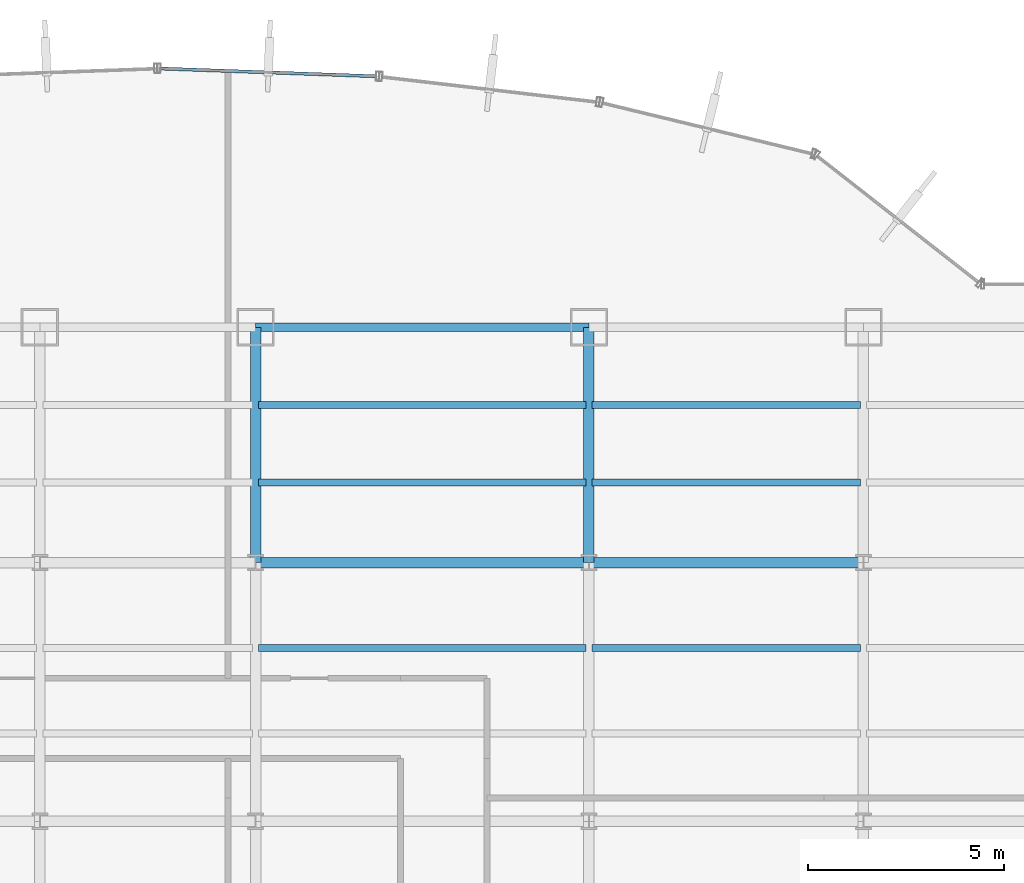
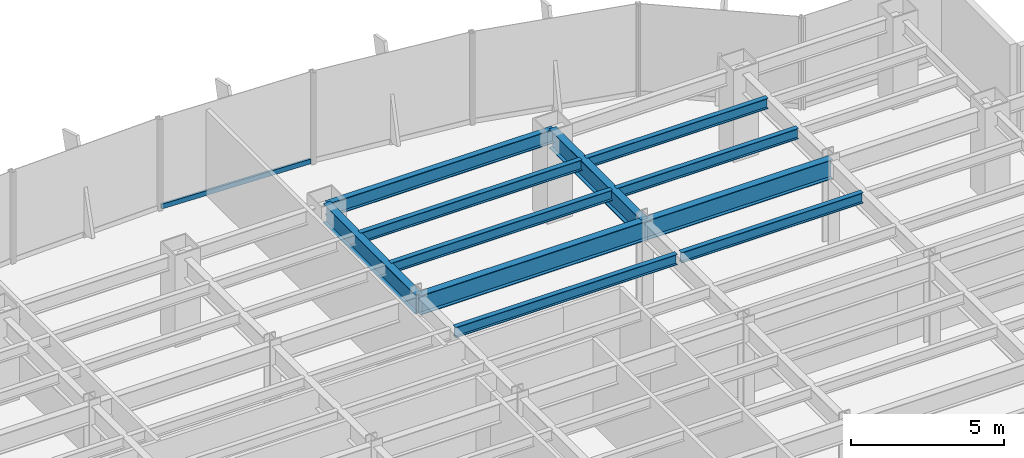
# One storey, part 13 of 22: 11 beams, 1 member, 1 element without a shape of its own.
"""IFC4 building model written with IfcOpenShell, lengths in metres."""

import ifcopenshell
import ifcopenshell.guid

model = None  # the IFC model being written
_history = None  # IfcOwnerHistory: only IFC2X3 demands one
_inside = {}  # id of a spatial element -> (the spatial element, [elements in it])
_under = {}  # id of a project, library or spatial element -> (it, [spatial elements below it])
_declared = {}  # id of a project -> (the project, [libraries it declares])
_typed = {}  # id of a type object -> (the type object, [elements of that type])
_made_of = {}  # id of a material, layer set ... -> (it, [elements and type objects made of it])


def new_model(schema):
    """Start an empty IFC model of exactly this schema.

    Asked for "IFC4X3", IfcOpenShell would pick the latest addendum, in which some entities
    have other attributes; the version numbers below select the first issue.
    IFC2X3 requires an IfcOwnerHistory on every rooted entity: one is made here for all.
    """
    global model, _history
    if schema == "IFC4X3":
        model = ifcopenshell.file(schema_version=(4, 3, 0, 0))
    else:
        model = ifcopenshell.file(schema=schema)
    _inside.clear()
    _under.clear()
    _declared.clear()
    _typed.clear()
    _made_of.clear()
    _history = None
    if model.schema == "IFC2X3":
        org = make("IfcOrganization", Name="unknown")
        user = make(
            "IfcPersonAndOrganization",
            ThePerson=make("IfcPerson", FamilyName="unknown"),
            TheOrganization=org,
        )
        app = make(
            "IfcApplication",
            ApplicationDeveloper=org,
            Version="unknown",
            ApplicationFullName="unknown",
            ApplicationIdentifier="unknown",
        )
        _history = make(
            "IfcOwnerHistory",
            OwningUser=user,
            OwningApplication=app,
            ChangeAction="ADDED",
            CreationDate=0,
        )
    return model


def make(cls, **values):
    """One entity of the class cls with the attributes given. An attribute that is None is left unset."""
    return model.create_entity(
        cls, **{name: value for name, value in values.items() if value is not None}
    )


def rooted(cls, **values):
    """An entity with a GlobalId (a new one), such as an element, a storey or a relation."""
    return make(cls, GlobalId=ifcopenshell.guid.new(), OwnerHistory=_history, **values)


def si_unit(unit_type, name, prefix=None):
    """IfcSIUnit, for example si_unit("LENGTHUNIT", "METRE", prefix="MILLI")."""
    return make("IfcSIUnit", UnitType=unit_type, Prefix=prefix, Name=name)


def derived_unit(unit_type, elements):
    """IfcDerivedUnit: a product of units, each with its exponent."""
    return make(
        "IfcDerivedUnit",
        Elements=[
            make("IfcDerivedUnitElement", Unit=unit, Exponent=power)
            for unit, power in elements
        ],
        UnitType=unit_type,
    )


def assignment(units):
    """IfcUnitAssignment: the units of a project."""
    return None if units is None else make("IfcUnitAssignment", Units=units)


def point(xyz):
    """IfcCartesianPoint."""
    return None if xyz is None else make("IfcCartesianPoint", Coordinates=xyz)


def direction(xyz):
    """IfcDirection."""
    return None if xyz is None else make("IfcDirection", DirectionRatios=xyz)


def frame(location, z_axis=None, x_axis=None):
    """IfcAxis2Placement3D, a coordinate frame: its origin and axes. An axis left out is left unset."""
    return make(
        "IfcAxis2Placement3D",
        Location=point(location),
        Axis=direction(z_axis),
        RefDirection=direction(x_axis),
    )


def frame_2d(location, x_axis=None):
    """IfcAxis2Placement2D, a coordinate frame in the plane: its origin and x axis."""
    return make(
        "IfcAxis2Placement2D", Location=point(location), RefDirection=direction(x_axis)
    )


def origin():
    """The frame at (0, 0, 0) with its axes left unset."""
    return frame((0.0, 0.0, 0.0))


def origin_2d():
    """The frame at (0, 0) in the plane with its x axis left unset."""
    return frame_2d((0.0, 0.0))


def place(relative_to, where):
    """IfcLocalPlacement: puts the frame where relative to a parent placement (None: the world)."""
    return make(
        "IfcLocalPlacement", PlacementRelTo=relative_to, RelativePlacement=where
    )


def context(
    kind, dimensions, precision=None, world=None, true_north=None, identifier=None
):
    """IfcGeometricRepresentationContext, for example the 3D "Model" context."""
    return make(
        "IfcGeometricRepresentationContext",
        ContextIdentifier=identifier,
        ContextType=kind,
        CoordinateSpaceDimension=dimensions,
        Precision=precision,
        WorldCoordinateSystem=world,
        TrueNorth=true_north,
    )


def subcontext(parent, identifier, kind, view, scale=None):
    """IfcGeometricRepresentationSubContext, for example "Body" below "Model"."""
    return make(
        "IfcGeometricRepresentationSubContext",
        ContextIdentifier=identifier,
        ContextType=kind,
        ParentContext=parent,
        TargetScale=scale,
        TargetView=view,
    )


def project(units=None, contexts=None):
    """IfcProject with its units and contexts."""
    return rooted(
        "IfcProject",
        Name="project",
        RepresentationContexts=contexts,
        UnitsInContext=assignment(units),
    )


def spatial(cls, under=None, at=None, **own):
    """A site, building, storey or space (cls), placed at a placement, below another one or the project."""
    s = rooted(cls, ObjectPlacement=at, **own)
    if under is not None:
        _under.setdefault(under.id(), (under, []))[1].append(s)
    return s


def profile(cls, at=None, kind="AREA", **sizes):
    """A parametric profile (cls). Its sizes go by their IFC names, for example OverallWidth=200.0."""
    return make(cls, ProfileType=kind, Position=at, **sizes)


def hollow_rectangle(**sizes):
    """IfcRectangleHollowProfileDef."""
    return profile("IfcRectangleHollowProfileDef", **sizes)


def i_section(**sizes):
    """IfcIShapeProfileDef."""
    return profile("IfcIShapeProfileDef", **sizes)


def extrude(swept, where, along, depth):
    """IfcExtrudedAreaSolid: the profile swept, set in the frame where, extruded along a direction by depth."""
    return make(
        "IfcExtrudedAreaSolid",
        SweptArea=swept,
        Position=where,
        ExtrudedDirection=direction(along),
        Depth=depth,
    )


def shape(context_of_items, identifier, shape_type, items):
    """IfcShapeRepresentation: the items that make up one representation, for example the "Body"."""
    return make(
        "IfcShapeRepresentation",
        ContextOfItems=context_of_items,
        RepresentationIdentifier=identifier,
        RepresentationType=shape_type,
        Items=items,
    )


def source(mapping_origin, context_of_items, identifier, shape_type, items):
    """IfcRepresentationMap: a shape defined once, which mapped items show again and again."""
    return make(
        "IfcRepresentationMap",
        MappingOrigin=mapping_origin,
        MappedRepresentation=shape(context_of_items, identifier, shape_type, items),
    )


def transform(
    local_origin,
    x_axis=None,
    y_axis=None,
    z_axis=None,
    scale=None,
    scale2=None,
    scale3=None,
    uniform=True,
):
    """IfcCartesianTransformationOperator3D, or its non-uniform kind. x_axis, y_axis, z_axis: its Axis1, 2, 3."""
    if uniform:
        return make(
            "IfcCartesianTransformationOperator3D",
            Axis1=direction(x_axis),
            Axis2=direction(y_axis),
            LocalOrigin=point(local_origin),
            Scale=scale,
            Axis3=direction(z_axis),
        )
    return make(
        "IfcCartesianTransformationOperator3DnonUniform",
        Axis1=direction(x_axis),
        Axis2=direction(y_axis),
        LocalOrigin=point(local_origin),
        Scale=scale,
        Axis3=direction(z_axis),
        Scale2=scale2,
        Scale3=scale3,
    )


def mapped(mapping_source, mapping_target):
    """IfcMappedItem: shows the shape of a source again, moved by a transform."""
    return make(
        "IfcMappedItem", MappingSource=mapping_source, MappingTarget=mapping_target
    )


def material(Name=None, Category=None):
    """IfcMaterial."""
    return make("IfcMaterial", Name=Name, Category=Category)


def material_profile(
    of_material, cross_section, Name=None, Category=None, Priority=None
):
    """IfcMaterialProfile: a cross section and its material."""
    return make(
        "IfcMaterialProfile",
        Name=Name,
        Material=of_material,
        Profile=cross_section,
        Priority=Priority,
        Category=Category,
    )


def profile_set(profiles, Name=None, composite=None):
    """IfcMaterialProfileSet."""
    return make(
        "IfcMaterialProfileSet",
        Name=Name,
        MaterialProfiles=profiles,
        CompositeProfile=composite,
    )


def made_of(thing, what):
    """Note that an element or type object is made of a material, layer set ...; save() writes the relation."""
    if what is not None:
        _made_of.setdefault(what.id(), (what, []))[1].append(thing)
    return thing


def type_object(cls, material=None, **own):
    """A type object (cls), such as IfcWallType, which elements share."""
    return made_of(rooted(cls, **own), material)


def element(
    cls,
    number,
    at=None,
    inside=None,
    cuts=None,
    type_object=None,
    material=None,
    context=None,
    identifier="Body",
    shape_type=None,
    held_by="IfcProductDefinitionShape",
    body=None,
    shapes=None,
    **own,
):
    """One element of the class cls, such as IfcWall. Its Tag is "e" and its number.

    at: its placement. inside: the storey or other place that contains it. cuts: it is an
    opening in that element (IfcRelVoidsElement). A single representation is given by context,
    identifier, shape_type and body (its items); several are given by shapes. held_by: the class
    of the entity that holds the representations. save() writes the other relations.
    """
    e = rooted(cls, Tag="e%d" % number, ObjectPlacement=at, **own)
    if body is not None:
        shapes = [shape(context, identifier, shape_type, body)]
    if shapes is not None:
        e.Representation = make(held_by, Representations=shapes)
    if inside is not None:
        _inside.setdefault(inside.id(), (inside, []))[1].append(e)
    if cuts is not None:
        rooted(
            "IfcRelVoidsElement", RelatingBuildingElement=cuts, RelatedOpeningElement=e
        )
    if type_object is not None:
        _typed.setdefault(type_object.id(), (type_object, []))[1].append(e)
    return made_of(e, material)


def aggregate(whole, parts):
    """IfcRelAggregates: a whole, such as a stair, and the parts it consists of."""
    return rooted("IfcRelAggregates", RelatingObject=whole, RelatedObjects=parts)


def save(model, path):
    """Write the relations noted so far, then the file.

    IfcRelAggregates (storeys below a building ...), IfcRelContainedInSpatialStructure (elements
    in a storey), IfcRelDefinesByType, IfcRelAssociatesMaterial and IfcRelDeclares: one each for
    every whole, place, type object, material and project.
    """
    for whole, parts in _under.values():
        aggregate(whole, parts)
    for where, things in _inside.values():
        rooted(
            "IfcRelContainedInSpatialStructure",
            RelatedElements=things,
            RelatingStructure=where,
        )
    for kind, things in _typed.values():
        rooted("IfcRelDefinesByType", RelatedObjects=things, RelatingType=kind)
    for what, things in _made_of.values():
        rooted("IfcRelAssociatesMaterial", RelatedObjects=things, RelatingMaterial=what)
    for by, libraries in _declared.values():
        rooted("IfcRelDeclares", RelatingContext=by, RelatedDefinitions=libraries)
    model.write(path)


model = new_model("IFC4")

# Units and contexts
model_context = context("Model", 3, precision=1e-05, world=origin(), true_north=direction((0.0, 1.0)))
body_context = subcontext(model_context, "Body", "Model", "MODEL_VIEW")
ifc_project = project(units=[si_unit("LENGTHUNIT", "METRE"), si_unit("AREAUNIT", "SQUARE_METRE"), si_unit("VOLUMEUNIT", "CUBIC_METRE"), si_unit("PLANEANGLEUNIT", "RADIAN"), si_unit("MASSUNIT", "GRAM", prefix="KILO"), derived_unit("THERMALTRANSMITTANCEUNIT", [(si_unit("POWERUNIT", "WATT"), 1), (si_unit("LENGTHUNIT", "METRE"), -2), (si_unit("THERMODYNAMICTEMPERATUREUNIT", "KELVIN"), -1)])], contexts=[model_context])

# Site, building, storey
site_placement = place(None, origin())
site = spatial("IfcSite", under=ifc_project, at=site_placement, CompositionType="ELEMENT")
building_placement = place(site_placement, origin())
building = spatial("IfcBuilding", under=site, at=building_placement, Name="Skarnbrae Concourse Arena and Tower", CompositionType="ELEMENT")
storey_placement = place(building_placement, frame((0.0, 0.0, 72.64990234375)))
storey = spatial("IfcBuildingStorey", under=building, at=storey_placement, Name="L17", CompositionType="ELEMENT", Elevation=72.64990234375)

# Beams
ifc_material_1 = material(Name="Steel CSA G40.21 350W", Category="steel")
ifc_material_profile_1 = material_profile(ifc_material_1, i_section(OverallWidth=0.26806640625, OverallDepth=0.77001953125, WebThickness=0.015625, FlangeThickness=0.025390625, at=origin_2d()), Name="W760X196")
ifc_profile_set_1 = profile_set([ifc_material_profile_1], Name="Steel CSA G40.21 350W")
beam_type_1 = type_object("IfcBeamType", Name="BM-GIRD-W760X196", PredefinedType="BEAM", material=ifc_profile_set_1)
shared_shape_1 = source(origin(), body_context, "Body", "SweptSolid", [
    extrude(i_section(OverallWidth=0.26806640625, OverallDepth=0.77001953125, WebThickness=0.015625, FlangeThickness=0.025390625, at=origin_2d()), origin(), (0.0, 0.0, 1.0), 7.0),
])
beam_1_placement = place(storey_placement, frame((42.0, 34.39990234375, 3.01513671875), z_axis=(1.0, 0.0, 0.0), x_axis=(0.0, 1.0, 0.0)))
element("IfcBeam", 1, at=beam_1_placement, inside=storey, type_object=beam_type_1, Name="L17 Primary E-W girder Y34.4-7", PredefinedType="BEAM", context=body_context, shape_type="MappedRepresentation", body=[
    mapped(shared_shape_1, transform((0.0, 0.0, 0.0))),
])
shared_shape_2 = source(origin(), body_context, "Body", "SweptSolid", [
    extrude(i_section(OverallWidth=0.26806640625, OverallDepth=0.77001953125, WebThickness=0.015625, FlangeThickness=0.025390625, at=origin_2d()), origin(), (0.0, 0.0, 1.0), 8.5),
])
beam_2_placement = place(storey_placement, frame((33.5, 34.39990234375, 3.01513671875), z_axis=(1.0, 0.0, 0.0), x_axis=(0.0, 1.0, 0.0)))
element("IfcBeam", 2, at=beam_2_placement, inside=storey, type_object=beam_type_1, Name="L17 Primary E-W girder Y34.4-6", PredefinedType="BEAM", context=body_context, shape_type="MappedRepresentation", body=[
    mapped(shared_shape_2, transform((0.0, 0.0, 0.0))),
])
shared_shape_3 = source(origin(), body_context, "Body", "SweptSolid", [
    extrude(i_section(OverallWidth=0.26806640625, OverallDepth=0.77001953125, WebThickness=0.015625, FlangeThickness=0.025390625, at=origin_2d()), origin(), (0.0, 0.0, 1.0), 6.0),
])
for number, where, z_axis, x_axis, name in (
    (3, (33.5, 34.39990234375, 3.01513671875), (0.0, 1.0, 0.0), (-1.0, 0.0, 0.0), "L17 Primary N-S girder X33.5-4"),
    (4, (42.0, 34.39990234375, 3.01513671875), (0.0, 1.0, 0.0), (-1.0, 0.0, 0.0), "L17 Primary N-S girder X42.0-5"),
):
    element("IfcBeam", number, at=place(storey_placement, frame(where, z_axis=z_axis, x_axis=x_axis)), inside=storey, type_object=beam_type_1, Name=name, PredefinedType="BEAM", context=body_context, shape_type="MappedRepresentation", body=[
        mapped(shared_shape_3, transform((0.0, 0.0, 0.0))),
    ])
ifc_material_profile_2 = material_profile(ifc_material_1, i_section(OverallWidth=0.214111328125, OverallDepth=0.549072265625, WebThickness=0.0146484375, FlangeThickness=0.023681640625, at=origin_2d()), Name="W530X138")
ifc_profile_set_2 = profile_set([ifc_material_profile_2], Name="Steel CSA G40.21 350W")
beam_type_2 = type_object("IfcBeamType", Name="BM-SPAN-W530X138", PredefinedType="SPANDREL", material=ifc_profile_set_2)
shared_shape_4 = source(origin(), body_context, "Body", "SweptSolid", [
    extrude(i_section(OverallWidth=0.214111328125, OverallDepth=0.549072265625, WebThickness=0.0146484375, FlangeThickness=0.023681640625, at=origin_2d()), origin(), (0.0, 0.0, 1.0), 8.5),
])
beam_3_placement = place(storey_placement, frame((33.5, 40.39990234375, 3.12548828125), z_axis=(1.0, 0.0, 0.0), x_axis=(0.0, 1.0, 0.0)))
element("IfcBeam", 5, at=beam_3_placement, inside=storey, type_object=beam_type_2, Name="L17 Perimeter spandrel Y40.4-5", PredefinedType="SPANDREL", context=body_context, shape_type="MappedRepresentation", body=[
    mapped(shared_shape_4, transform((0.0, 0.0, 0.0))),
])
ifc_material_profile_3 = material_profile(ifc_material_1, i_section(OverallWidth=0.180908203125, OverallDepth=0.4169921875, WebThickness=0.010986328125, FlangeThickness=0.018310546875, at=origin_2d()), Name="W410X85")
ifc_profile_set_3 = profile_set([ifc_material_profile_3], Name="Steel CSA G40.21 350W")
beam_type_3 = type_object("IfcBeamType", Name="BM-JOIST-W410X85", PredefinedType="JOIST", material=ifc_profile_set_3)
shared_shape_5 = source(origin(), body_context, "Body", "SweptSolid", [
    extrude(i_section(OverallWidth=0.180908203125, OverallDepth=0.4169921875, WebThickness=0.010986328125, FlangeThickness=0.018310546875, at=origin_2d()), origin(), (0.0, 0.0, 1.0), 8.33984375),
])
for number, where, z_axis, x_axis, name in (
    (6, (33.580078125, 32.221923828125, 3.191650390625), (1.0, 0.0, 0.0), (0.0, 1.0, 0.0), "L17 Secondary floor joist 3.2.6"),
    (7, (33.580078125, 36.43994140625, 3.191650390625), (1.0, 0.0, 0.0), (0.0, 1.0, 0.0), "L17 Secondary floor joist 4.1.5"),
    (8, (33.580078125, 38.419921875, 3.191650390625), (1.0, 0.0, 0.0), (0.0, 1.0, 0.0), "L17 Secondary floor joist 4.2.5"),
):
    element("IfcBeam", number, at=place(storey_placement, frame(where, z_axis=z_axis, x_axis=x_axis)), inside=storey, type_object=beam_type_3, Name=name, PredefinedType="JOIST", context=body_context, shape_type="MappedRepresentation", body=[
        mapped(shared_shape_5, transform((0.0, 0.0, 0.0))),
    ])
shared_shape_6 = source(origin(), body_context, "Body", "SweptSolid", [
    extrude(i_section(OverallWidth=0.180908203125, OverallDepth=0.4169921875, WebThickness=0.010986328125, FlangeThickness=0.018310546875, at=origin_2d()), origin(), (0.0, 0.0, 1.0), 6.83984375),
])
for number, where, z_axis, x_axis, name in (
    (9, (42.080078125, 32.221923828125, 3.191650390625), (1.0, 0.0, 0.0), (0.0, 1.0, 0.0), "L17 Secondary floor joist 3.2.7"),
    (10, (42.080078125, 36.43994140625, 3.191650390625), (1.0, 0.0, 0.0), (0.0, 1.0, 0.0), "L17 Secondary floor joist 4.1.6"),
    (11, (42.080078125, 38.419921875, 3.191650390625), (1.0, 0.0, 0.0), (0.0, 1.0, 0.0), "L17 Secondary floor joist 4.2.6"),
):
    element("IfcBeam", number, at=place(storey_placement, frame(where, z_axis=z_axis, x_axis=x_axis)), inside=storey, type_object=beam_type_3, Name=name, PredefinedType="JOIST", context=body_context, shape_type="MappedRepresentation", body=[
        mapped(shared_shape_6, transform((0.0, 0.0, 0.0))),
    ])

# Curtain wall, member
ifc_material_2 = material(Name="Bronze anodised aluminium 6063-T6", Category="aluminium")
curtain_wall_type = type_object("IfcCurtainWallType", Name="CW-SYS-02-LOWZONE", PredefinedType="USERDEFINED", material=ifc_material_2)
curtain_wall_placement = place(storey_placement, origin())
curtain_wall = element("IfcCurtainWall", 12, at=curtain_wall_placement, inside=storey, type_object=curtain_wall_type, Name="L17 Unitised curtain wall CW-L17-E11", ObjectType="UNITISED CURTAIN WALL", PredefinedType="USERDEFINED")
ifc_material_profile_4 = material_profile(ifc_material_2, hollow_rectangle(XDim=0.080078125, YDim=0.18994140625, WallThickness=0.0048828125, at=origin_2d()), Name="ALU-TRAN-80X190")
ifc_profile_set_4 = profile_set([ifc_material_profile_4], Name="Bronze anodised aluminium 6063-T6")
member_type = type_object("IfcMemberType", Name="CWT-CW-02", PredefinedType="USERDEFINED", material=ifc_profile_set_4)
shared_shape_7 = source(origin(), body_context, "Body", "SweptSolid", [
    extrude(hollow_rectangle(XDim=0.080078125, YDim=0.18994140625, WallThickness=0.0048828125, at=origin_2d()), origin(), (0.0, 0.0, 1.0), 5.497802734375),
])
member_placement = place(storey_placement, frame((36.573974609375, 46.7998046875, 0.09521484375), z_axis=(-0.999356047798, 0.03588160712, 0.0), x_axis=(-0.03588160712, -0.999356047798, 0.0)))
member = element("IfcMember", 13, at=member_placement, type_object=member_type, Name="CW-L17-E11 Transom 1", ObjectType="TRANSOM", PredefinedType="USERDEFINED", context=body_context, shape_type="MappedRepresentation", body=[
    mapped(shared_shape_7, transform((0.0, 0.0, 0.0))),
])
aggregate(curtain_wall, [member])

save(model, "model.ifc")
